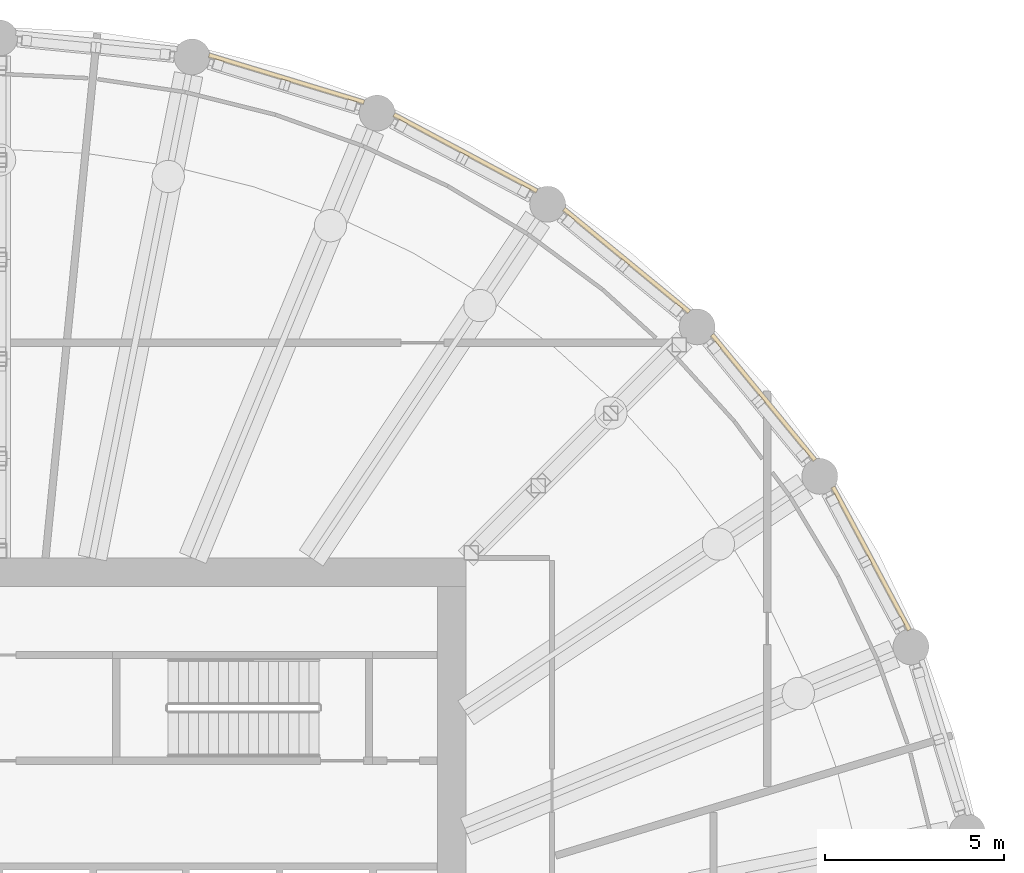
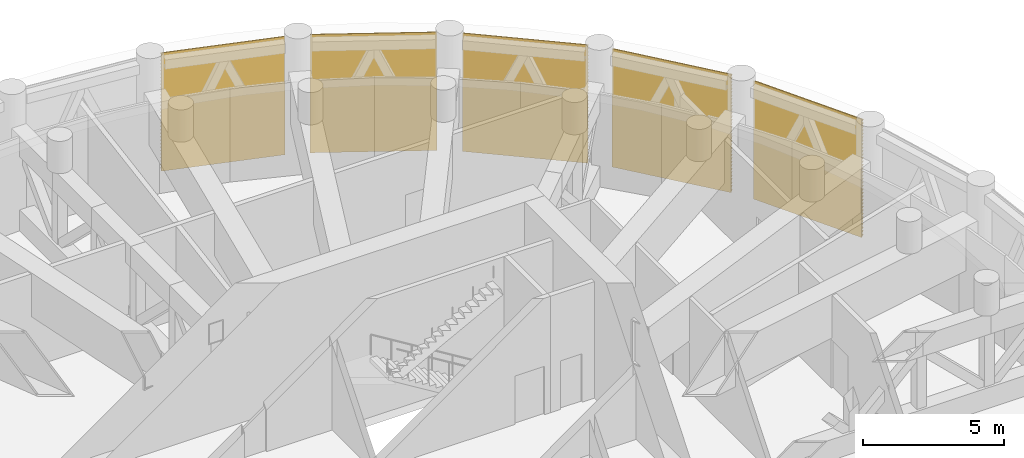
# One storey, part 24 of 24: 5 shading devices, 5 elements without a shape of their own.
"""IFC4 building model written with IfcOpenShell, lengths in metres."""

from ifc_helpers import new_model, si_unit, direction, frame, origin, place, context, subcontext, project, spatial, polyline, outline, extrude, material, material_profile, profile_set, type_object, element, aggregate, save


model = new_model("IFC4")

# Units and contexts
model_context = context("Model", 3, precision=1e-05, world=origin(), true_north=direction((0.0, 1.0)))
body_context = subcontext(model_context, "Body", "Model", "MODEL_VIEW")
ifc_project = project(units=[si_unit("LENGTHUNIT", "METRE"), si_unit("AREAUNIT", "SQUARE_METRE"), si_unit("VOLUMEUNIT", "CUBIC_METRE"), si_unit("PLANEANGLEUNIT", "RADIAN"), si_unit("MASSUNIT", "GRAM", prefix="KILO")], contexts=[model_context])

# Site, building, storey
site_placement = place(None, origin())
site = spatial("IfcSite", under=ifc_project, at=site_placement, CompositionType="ELEMENT")
building_placement = place(site_placement, origin())
building = spatial("IfcBuilding", under=site, at=building_placement, Name="Corvane Civic Tower", CompositionType="ELEMENT")
storey_placement = place(building_placement, frame((0.0, 0.0, 257.5)))
storey = spatial("IfcBuildingStorey", under=building, at=storey_placement, Name="L61", CompositionType="ELEMENT", Elevation=257.5)

# Curtain wall, shading device
ifc_material_1 = material(Name="Anodised aluminium bronze", Category="aluminium")
curtain_wall_type = type_object("IfcCurtainWallType", Name="TOWER CW-LV LOUVRE SCREEN WALL", PredefinedType="NOTDEFINED", material=ifc_material_1)
curtain_wall_1_placement = place(storey_placement, origin())
curtain_wall_1 = element("IfcCurtainWall", 1, at=curtain_wall_1_placement, inside=storey, type_object=curtain_wall_type, Name="Louvre screen wall CW-LV L61 bay 02", PredefinedType="NOTDEFINED")
ifc_material_2 = material(Name="Anodised aluminium bronze", Category="aluminium")
ifc_material_profile = material_profile(ifc_material_2, outline(polyline([(-0.06005859375, -2.56494140625), (-0.0400390625, -2.56494140625), (0.06005859375, -2.492919921875), (0.06005859375, -2.472900390625), (-0.0400390625, -2.544921875), (-0.0400390625, -2.4140625), (0.06005859375, -2.342041015625), (0.06005859375, -2.322021484375), (-0.0400390625, -2.39404296875), (-0.0400390625, -2.26318359375), (0.06005859375, -2.191162109375), (0.06005859375, -2.171142578125), (-0.0400390625, -2.2431640625), (-0.0400390625, -2.1123046875), (0.06005859375, -2.040283203125), (0.06005859375, -2.0205078125), (-0.0400390625, -2.09228515625), (-0.0400390625, -1.96142578125), (0.06005859375, -1.889404296875), (0.06005859375, -1.869384765625), (-0.0400390625, -1.94140625), (-0.0400390625, -1.810546875), (0.06005859375, -1.738525390625), (0.06005859375, -1.718505859375), (-0.0400390625, -1.79052734375), (-0.0400390625, -1.65966796875), (0.06005859375, -1.587646484375), (0.06005859375, -1.567626953125), (-0.0400390625, -1.6396484375), (-0.0400390625, -1.5087890625), (0.06005859375, -1.436767578125), (0.06005859375, -1.416748046875), (-0.0400390625, -1.48876953125), (-0.0400390625, -1.35791015625), (0.06005859375, -1.285888671875), (0.06005859375, -1.265869140625), (-0.0400390625, -1.337890625), (-0.0400390625, -1.20703125), (0.06005859375, -1.135009765625), (0.06005859375, -1.114990234375), (-0.0400390625, -1.18701171875), (-0.0400390625, -1.05615234375), (0.06005859375, -0.984130859375), (0.06005859375, -0.964111328125), (-0.0400390625, -1.0361328125), (-0.0400390625, -0.9052734375), (0.06005859375, -0.833251953125), (0.06005859375, -0.813232421875), (-0.0400390625, -0.88525390625), (-0.0400390625, -0.75439453125), (0.06005859375, -0.682373046875), (0.06005859375, -0.662353515625), (-0.0400390625, -0.734375), (-0.0400390625, -0.603515625), (0.06005859375, -0.531494140625), (0.06005859375, -0.511474609375), (-0.0400390625, -0.58349609375), (-0.0400390625, -0.45263671875), (0.06005859375, -0.380615234375), (0.06005859375, -0.360595703125), (-0.0400390625, -0.4326171875), (-0.0400390625, -0.3017578125), (0.06005859375, -0.229736328125), (0.06005859375, -0.209716796875), (-0.0400390625, -0.28173828125), (-0.0400390625, -0.15087890625), (0.06005859375, -0.078857421875), (0.06005859375, -0.058837890625), (-0.0400390625, -0.130859375), (-0.0400390625, 0.0), (0.06005859375, 0.072021484375), (0.06005859375, 0.092041015625), (-0.0400390625, 0.02001953125), (-0.0400390625, 0.15087890625), (0.06005859375, 0.222900390625), (0.06005859375, 0.242919921875), (-0.0400390625, 0.1708984375), (-0.0400390625, 0.3017578125), (0.06005859375, 0.373779296875), (0.06005859375, 0.393798828125), (-0.0400390625, 0.32177734375), (-0.0400390625, 0.45263671875), (0.06005859375, 0.524658203125), (0.06005859375, 0.544677734375), (-0.0400390625, 0.47265625), (-0.0400390625, 0.603515625), (0.06005859375, 0.675537109375), (0.06005859375, 0.695556640625), (-0.0400390625, 0.62353515625), (-0.0400390625, 0.75439453125), (0.06005859375, 0.826416015625), (0.06005859375, 0.846435546875), (-0.0400390625, 0.7744140625), (-0.0400390625, 0.9052734375), (0.06005859375, 0.977294921875), (0.06005859375, 0.997314453125), (-0.0400390625, 0.92529296875), (-0.0400390625, 1.05615234375), (0.06005859375, 1.128173828125), (0.06005859375, 1.148193359375), (-0.0400390625, 1.076171875), (-0.0400390625, 1.20703125), (0.06005859375, 1.279052734375), (0.06005859375, 1.299072265625), (-0.0400390625, 1.22705078125), (-0.0400390625, 1.35791015625), (0.06005859375, 1.429931640625), (0.06005859375, 1.449951171875), (-0.0400390625, 1.3779296875), (-0.0400390625, 1.5087890625), (0.06005859375, 1.580810546875), (0.06005859375, 1.600830078125), (-0.0400390625, 1.52880859375), (-0.0400390625, 1.65966796875), (0.06005859375, 1.731689453125), (0.06005859375, 1.751708984375), (-0.0400390625, 1.6796875), (-0.0400390625, 1.810546875), (0.06005859375, 1.882568359375), (0.06005859375, 1.902587890625), (-0.0400390625, 1.83056640625), (-0.0400390625, 1.96142578125), (0.06005859375, 2.033447265625), (0.06005859375, 2.053466796875), (-0.0400390625, 1.9814453125), (-0.0400390625, 2.1123046875), (0.06005859375, 2.184326171875), (0.06005859375, 2.204345703125), (-0.0400390625, 2.13232421875), (-0.0400390625, 2.26318359375), (0.06005859375, 2.335205078125), (0.06005859375, 2.355224609375), (-0.0400390625, 2.283203125), (-0.0400390625, 2.4140625), (0.06005859375, 2.486083984375), (0.06005859375, 2.506103515625), (-0.0400390625, 2.43408203125), (-0.0400390625, 2.56494140625), (-0.06005859375, 2.56494140625), (-0.06005859375, -2.56494140625)])), Name="TOWER LOUVRE BANK 5130 BRONZE")
ifc_profile_set = profile_set([ifc_material_profile], Name="Anodised aluminium bronze")
shading_device_type = type_object("IfcShadingDeviceType", Name="TOWER LOUVRE BANK 5130 BRONZE", PredefinedType="USERDEFINED", material=ifc_profile_set)
shading_device_1_placement = place(storey_placement, frame((5.8349609375, 27.016357421875, 2.68505859375), z_axis=(0.956941182173, -0.2902818869, 0.0), x_axis=(0.2902818869, 0.956941182173, 0.0)))
shading_device_1 = element("IfcShadingDevice", 2, at=shading_device_1_placement, type_object=shading_device_type, Name="Louvre bank L61 02.1", ObjectType="LOUVRE", PredefinedType="USERDEFINED", context=body_context, shape_type="SweptSolid", body=[
    extrude(outline(polyline([(-0.06005859375, -2.56494140625), (-0.0400390625, -2.56494140625), (0.06005859375, -2.492919921875), (0.06005859375, -2.472900390625), (-0.0400390625, -2.544921875), (-0.0400390625, -2.4140625), (0.06005859375, -2.342041015625), (0.06005859375, -2.322021484375), (-0.0400390625, -2.39404296875), (-0.0400390625, -2.26318359375), (0.06005859375, -2.191162109375), (0.06005859375, -2.171142578125), (-0.0400390625, -2.2431640625), (-0.0400390625, -2.1123046875), (0.06005859375, -2.040283203125), (0.06005859375, -2.0205078125), (-0.0400390625, -2.09228515625), (-0.0400390625, -1.96142578125), (0.06005859375, -1.889404296875), (0.06005859375, -1.869384765625), (-0.0400390625, -1.94140625), (-0.0400390625, -1.810546875), (0.06005859375, -1.738525390625), (0.06005859375, -1.718505859375), (-0.0400390625, -1.79052734375), (-0.0400390625, -1.65966796875), (0.06005859375, -1.587646484375), (0.06005859375, -1.567626953125), (-0.0400390625, -1.6396484375), (-0.0400390625, -1.5087890625), (0.06005859375, -1.436767578125), (0.06005859375, -1.416748046875), (-0.0400390625, -1.48876953125), (-0.0400390625, -1.35791015625), (0.06005859375, -1.285888671875), (0.06005859375, -1.265869140625), (-0.0400390625, -1.337890625), (-0.0400390625, -1.20703125), (0.06005859375, -1.135009765625), (0.06005859375, -1.114990234375), (-0.0400390625, -1.18701171875), (-0.0400390625, -1.05615234375), (0.06005859375, -0.984130859375), (0.06005859375, -0.964111328125), (-0.0400390625, -1.0361328125), (-0.0400390625, -0.9052734375), (0.06005859375, -0.833251953125), (0.06005859375, -0.813232421875), (-0.0400390625, -0.88525390625), (-0.0400390625, -0.75439453125), (0.06005859375, -0.682373046875), (0.06005859375, -0.662353515625), (-0.0400390625, -0.734375), (-0.0400390625, -0.603515625), (0.06005859375, -0.531494140625), (0.06005859375, -0.511474609375), (-0.0400390625, -0.58349609375), (-0.0400390625, -0.45263671875), (0.06005859375, -0.380615234375), (0.06005859375, -0.360595703125), (-0.0400390625, -0.4326171875), (-0.0400390625, -0.3017578125), (0.06005859375, -0.229736328125), (0.06005859375, -0.209716796875), (-0.0400390625, -0.28173828125), (-0.0400390625, -0.15087890625), (0.06005859375, -0.078857421875), (0.06005859375, -0.058837890625), (-0.0400390625, -0.130859375), (-0.0400390625, 0.0), (0.06005859375, 0.072021484375), (0.06005859375, 0.092041015625), (-0.0400390625, 0.02001953125), (-0.0400390625, 0.15087890625), (0.06005859375, 0.222900390625), (0.06005859375, 0.242919921875), (-0.0400390625, 0.1708984375), (-0.0400390625, 0.3017578125), (0.06005859375, 0.373779296875), (0.06005859375, 0.393798828125), (-0.0400390625, 0.32177734375), (-0.0400390625, 0.45263671875), (0.06005859375, 0.524658203125), (0.06005859375, 0.544677734375), (-0.0400390625, 0.47265625), (-0.0400390625, 0.603515625), (0.06005859375, 0.675537109375), (0.06005859375, 0.695556640625), (-0.0400390625, 0.62353515625), (-0.0400390625, 0.75439453125), (0.06005859375, 0.826416015625), (0.06005859375, 0.846435546875), (-0.0400390625, 0.7744140625), (-0.0400390625, 0.9052734375), (0.06005859375, 0.977294921875), (0.06005859375, 0.997314453125), (-0.0400390625, 0.92529296875), (-0.0400390625, 1.05615234375), (0.06005859375, 1.128173828125), (0.06005859375, 1.148193359375), (-0.0400390625, 1.076171875), (-0.0400390625, 1.20703125), (0.06005859375, 1.279052734375), (0.06005859375, 1.299072265625), (-0.0400390625, 1.22705078125), (-0.0400390625, 1.35791015625), (0.06005859375, 1.429931640625), (0.06005859375, 1.449951171875), (-0.0400390625, 1.3779296875), (-0.0400390625, 1.5087890625), (0.06005859375, 1.580810546875), (0.06005859375, 1.600830078125), (-0.0400390625, 1.52880859375), (-0.0400390625, 1.65966796875), (0.06005859375, 1.731689453125), (0.06005859375, 1.751708984375), (-0.0400390625, 1.6796875), (-0.0400390625, 1.810546875), (0.06005859375, 1.882568359375), (0.06005859375, 1.902587890625), (-0.0400390625, 1.83056640625), (-0.0400390625, 1.96142578125), (0.06005859375, 2.033447265625), (0.06005859375, 2.053466796875), (-0.0400390625, 1.9814453125), (-0.0400390625, 2.1123046875), (0.06005859375, 2.184326171875), (0.06005859375, 2.204345703125), (-0.0400390625, 2.13232421875), (-0.0400390625, 2.26318359375), (0.06005859375, 2.335205078125), (0.06005859375, 2.355224609375), (-0.0400390625, 2.283203125), (-0.0400390625, 2.4140625), (0.06005859375, 2.486083984375), (0.06005859375, 2.506103515625), (-0.0400390625, 2.43408203125), (-0.0400390625, 2.56494140625), (-0.06005859375, 2.56494140625), (-0.06005859375, -2.56494140625)])), origin(), (0.0, 0.0, 1.0), 4.517333984375),
])
aggregate(curtain_wall_1, [shading_device_1])

curtain_wall_2_placement = place(storey_placement, origin())
curtain_wall_2 = element("IfcCurtainWall", 3, at=curtain_wall_2_placement, inside=storey, type_object=curtain_wall_type, Name="Louvre screen wall CW-LV L61 bay 03", PredefinedType="NOTDEFINED")
shading_device_2_placement = place(storey_placement, frame((10.993408203125, 25.35888671875, 2.68505859375), z_axis=(0.881924695689, -0.471390317183, 0.0), x_axis=(0.471390317183, 0.881924695689, 0.0)))
shading_device_2 = element("IfcShadingDevice", 4, at=shading_device_2_placement, type_object=shading_device_type, Name="Louvre bank L61 03.1", ObjectType="LOUVRE", PredefinedType="USERDEFINED", context=body_context, shape_type="SweptSolid", body=[
    extrude(outline(polyline([(-0.06005859375, -2.56494140625), (-0.0400390625, -2.56494140625), (0.06005859375, -2.492919921875), (0.06005859375, -2.472900390625), (-0.0400390625, -2.544921875), (-0.0400390625, -2.4140625), (0.06005859375, -2.342041015625), (0.06005859375, -2.322021484375), (-0.0400390625, -2.39404296875), (-0.0400390625, -2.26318359375), (0.06005859375, -2.191162109375), (0.06005859375, -2.171142578125), (-0.0400390625, -2.2431640625), (-0.0400390625, -2.1123046875), (0.06005859375, -2.040283203125), (0.06005859375, -2.0205078125), (-0.0400390625, -2.09228515625), (-0.0400390625, -1.96142578125), (0.06005859375, -1.889404296875), (0.06005859375, -1.869384765625), (-0.0400390625, -1.94140625), (-0.0400390625, -1.810546875), (0.06005859375, -1.738525390625), (0.06005859375, -1.718505859375), (-0.0400390625, -1.79052734375), (-0.0400390625, -1.65966796875), (0.06005859375, -1.587646484375), (0.06005859375, -1.567626953125), (-0.0400390625, -1.6396484375), (-0.0400390625, -1.5087890625), (0.06005859375, -1.436767578125), (0.06005859375, -1.416748046875), (-0.0400390625, -1.48876953125), (-0.0400390625, -1.35791015625), (0.06005859375, -1.285888671875), (0.06005859375, -1.265869140625), (-0.0400390625, -1.337890625), (-0.0400390625, -1.20703125), (0.06005859375, -1.135009765625), (0.06005859375, -1.114990234375), (-0.0400390625, -1.18701171875), (-0.0400390625, -1.05615234375), (0.06005859375, -0.984130859375), (0.06005859375, -0.964111328125), (-0.0400390625, -1.0361328125), (-0.0400390625, -0.9052734375), (0.06005859375, -0.833251953125), (0.06005859375, -0.813232421875), (-0.0400390625, -0.88525390625), (-0.0400390625, -0.75439453125), (0.06005859375, -0.682373046875), (0.06005859375, -0.662353515625), (-0.0400390625, -0.734375), (-0.0400390625, -0.603515625), (0.06005859375, -0.531494140625), (0.06005859375, -0.511474609375), (-0.0400390625, -0.58349609375), (-0.0400390625, -0.45263671875), (0.06005859375, -0.380615234375), (0.06005859375, -0.360595703125), (-0.0400390625, -0.4326171875), (-0.0400390625, -0.3017578125), (0.06005859375, -0.229736328125), (0.06005859375, -0.209716796875), (-0.0400390625, -0.28173828125), (-0.0400390625, -0.15087890625), (0.06005859375, -0.078857421875), (0.06005859375, -0.058837890625), (-0.0400390625, -0.130859375), (-0.0400390625, 0.0), (0.06005859375, 0.072021484375), (0.06005859375, 0.092041015625), (-0.0400390625, 0.02001953125), (-0.0400390625, 0.15087890625), (0.06005859375, 0.222900390625), (0.06005859375, 0.242919921875), (-0.0400390625, 0.1708984375), (-0.0400390625, 0.3017578125), (0.06005859375, 0.373779296875), (0.06005859375, 0.393798828125), (-0.0400390625, 0.32177734375), (-0.0400390625, 0.45263671875), (0.06005859375, 0.524658203125), (0.06005859375, 0.544677734375), (-0.0400390625, 0.47265625), (-0.0400390625, 0.603515625), (0.06005859375, 0.675537109375), (0.06005859375, 0.695556640625), (-0.0400390625, 0.62353515625), (-0.0400390625, 0.75439453125), (0.06005859375, 0.826416015625), (0.06005859375, 0.846435546875), (-0.0400390625, 0.7744140625), (-0.0400390625, 0.9052734375), (0.06005859375, 0.977294921875), (0.06005859375, 0.997314453125), (-0.0400390625, 0.92529296875), (-0.0400390625, 1.05615234375), (0.06005859375, 1.128173828125), (0.06005859375, 1.148193359375), (-0.0400390625, 1.076171875), (-0.0400390625, 1.20703125), (0.06005859375, 1.279052734375), (0.06005859375, 1.299072265625), (-0.0400390625, 1.22705078125), (-0.0400390625, 1.35791015625), (0.06005859375, 1.429931640625), (0.06005859375, 1.449951171875), (-0.0400390625, 1.3779296875), (-0.0400390625, 1.5087890625), (0.06005859375, 1.580810546875), (0.06005859375, 1.600830078125), (-0.0400390625, 1.52880859375), (-0.0400390625, 1.65966796875), (0.06005859375, 1.731689453125), (0.06005859375, 1.751708984375), (-0.0400390625, 1.6796875), (-0.0400390625, 1.810546875), (0.06005859375, 1.882568359375), (0.06005859375, 1.902587890625), (-0.0400390625, 1.83056640625), (-0.0400390625, 1.96142578125), (0.06005859375, 2.033447265625), (0.06005859375, 2.053466796875), (-0.0400390625, 1.9814453125), (-0.0400390625, 2.1123046875), (0.06005859375, 2.184326171875), (0.06005859375, 2.204345703125), (-0.0400390625, 2.13232421875), (-0.0400390625, 2.26318359375), (0.06005859375, 2.335205078125), (0.06005859375, 2.355224609375), (-0.0400390625, 2.283203125), (-0.0400390625, 2.4140625), (0.06005859375, 2.486083984375), (0.06005859375, 2.506103515625), (-0.0400390625, 2.43408203125), (-0.0400390625, 2.56494140625), (-0.06005859375, 2.56494140625), (-0.06005859375, -2.56494140625)])), origin(), (0.0, 0.0, 1.0), 4.517333984375),
])
aggregate(curtain_wall_2, [shading_device_2])

curtain_wall_3_placement = place(storey_placement, origin())
curtain_wall_3 = element("IfcCurtainWall", 5, at=curtain_wall_3_placement, inside=storey, type_object=curtain_wall_type, Name="Louvre screen wall CW-LV L61 bay 04", PredefinedType="NOTDEFINED")
shading_device_3_placement = place(storey_placement, frame((15.7294921875, 22.726806640625, 2.68505859375), z_axis=(0.773014925698, -0.634387834569, 0.0), x_axis=(0.634387834569, 0.773014925698, 0.0)))
shading_device_3 = element("IfcShadingDevice", 6, at=shading_device_3_placement, type_object=shading_device_type, Name="Louvre bank L61 04.1", ObjectType="LOUVRE", PredefinedType="USERDEFINED", context=body_context, shape_type="SweptSolid", body=[
    extrude(outline(polyline([(-0.06005859375, -2.56494140625), (-0.0400390625, -2.56494140625), (0.06005859375, -2.492919921875), (0.06005859375, -2.472900390625), (-0.0400390625, -2.544921875), (-0.0400390625, -2.4140625), (0.06005859375, -2.342041015625), (0.06005859375, -2.322021484375), (-0.0400390625, -2.39404296875), (-0.0400390625, -2.26318359375), (0.06005859375, -2.191162109375), (0.06005859375, -2.171142578125), (-0.0400390625, -2.2431640625), (-0.0400390625, -2.1123046875), (0.06005859375, -2.040283203125), (0.06005859375, -2.0205078125), (-0.0400390625, -2.09228515625), (-0.0400390625, -1.96142578125), (0.06005859375, -1.889404296875), (0.06005859375, -1.869384765625), (-0.0400390625, -1.94140625), (-0.0400390625, -1.810546875), (0.06005859375, -1.738525390625), (0.06005859375, -1.718505859375), (-0.0400390625, -1.79052734375), (-0.0400390625, -1.65966796875), (0.06005859375, -1.587646484375), (0.06005859375, -1.567626953125), (-0.0400390625, -1.6396484375), (-0.0400390625, -1.5087890625), (0.06005859375, -1.436767578125), (0.06005859375, -1.416748046875), (-0.0400390625, -1.48876953125), (-0.0400390625, -1.35791015625), (0.06005859375, -1.285888671875), (0.06005859375, -1.265869140625), (-0.0400390625, -1.337890625), (-0.0400390625, -1.20703125), (0.06005859375, -1.135009765625), (0.06005859375, -1.114990234375), (-0.0400390625, -1.18701171875), (-0.0400390625, -1.05615234375), (0.06005859375, -0.984130859375), (0.06005859375, -0.964111328125), (-0.0400390625, -1.0361328125), (-0.0400390625, -0.9052734375), (0.06005859375, -0.833251953125), (0.06005859375, -0.813232421875), (-0.0400390625, -0.88525390625), (-0.0400390625, -0.75439453125), (0.06005859375, -0.682373046875), (0.06005859375, -0.662353515625), (-0.0400390625, -0.734375), (-0.0400390625, -0.603515625), (0.06005859375, -0.531494140625), (0.06005859375, -0.511474609375), (-0.0400390625, -0.58349609375), (-0.0400390625, -0.45263671875), (0.06005859375, -0.380615234375), (0.06005859375, -0.360595703125), (-0.0400390625, -0.4326171875), (-0.0400390625, -0.3017578125), (0.06005859375, -0.229736328125), (0.06005859375, -0.209716796875), (-0.0400390625, -0.28173828125), (-0.0400390625, -0.15087890625), (0.06005859375, -0.078857421875), (0.06005859375, -0.058837890625), (-0.0400390625, -0.130859375), (-0.0400390625, 0.0), (0.06005859375, 0.072021484375), (0.06005859375, 0.092041015625), (-0.0400390625, 0.02001953125), (-0.0400390625, 0.15087890625), (0.06005859375, 0.222900390625), (0.06005859375, 0.242919921875), (-0.0400390625, 0.1708984375), (-0.0400390625, 0.3017578125), (0.06005859375, 0.373779296875), (0.06005859375, 0.393798828125), (-0.0400390625, 0.32177734375), (-0.0400390625, 0.45263671875), (0.06005859375, 0.524658203125), (0.06005859375, 0.544677734375), (-0.0400390625, 0.47265625), (-0.0400390625, 0.603515625), (0.06005859375, 0.675537109375), (0.06005859375, 0.695556640625), (-0.0400390625, 0.62353515625), (-0.0400390625, 0.75439453125), (0.06005859375, 0.826416015625), (0.06005859375, 0.846435546875), (-0.0400390625, 0.7744140625), (-0.0400390625, 0.9052734375), (0.06005859375, 0.977294921875), (0.06005859375, 0.997314453125), (-0.0400390625, 0.92529296875), (-0.0400390625, 1.05615234375), (0.06005859375, 1.128173828125), (0.06005859375, 1.148193359375), (-0.0400390625, 1.076171875), (-0.0400390625, 1.20703125), (0.06005859375, 1.279052734375), (0.06005859375, 1.299072265625), (-0.0400390625, 1.22705078125), (-0.0400390625, 1.35791015625), (0.06005859375, 1.429931640625), (0.06005859375, 1.449951171875), (-0.0400390625, 1.3779296875), (-0.0400390625, 1.5087890625), (0.06005859375, 1.580810546875), (0.06005859375, 1.600830078125), (-0.0400390625, 1.52880859375), (-0.0400390625, 1.65966796875), (0.06005859375, 1.731689453125), (0.06005859375, 1.751708984375), (-0.0400390625, 1.6796875), (-0.0400390625, 1.810546875), (0.06005859375, 1.882568359375), (0.06005859375, 1.902587890625), (-0.0400390625, 1.83056640625), (-0.0400390625, 1.96142578125), (0.06005859375, 2.033447265625), (0.06005859375, 2.053466796875), (-0.0400390625, 1.9814453125), (-0.0400390625, 2.1123046875), (0.06005859375, 2.184326171875), (0.06005859375, 2.204345703125), (-0.0400390625, 2.13232421875), (-0.0400390625, 2.26318359375), (0.06005859375, 2.335205078125), (0.06005859375, 2.355224609375), (-0.0400390625, 2.283203125), (-0.0400390625, 2.4140625), (0.06005859375, 2.486083984375), (0.06005859375, 2.506103515625), (-0.0400390625, 2.43408203125), (-0.0400390625, 2.56494140625), (-0.06005859375, 2.56494140625), (-0.06005859375, -2.56494140625)])), origin(), (0.0, 0.0, 1.0), 4.517333984375),
])
aggregate(curtain_wall_3, [shading_device_3])

curtain_wall_4_placement = place(storey_placement, origin())
curtain_wall_4 = element("IfcCurtainWall", 7, at=curtain_wall_4_placement, inside=storey, type_object=curtain_wall_type, Name="Louvre screen wall CW-LV L61 bay 05", PredefinedType="NOTDEFINED")
shading_device_4_placement = place(storey_placement, frame((19.861083984375, 19.221435546875, 2.68505859375), z_axis=(0.634387834569, -0.773014925698, 0.0), x_axis=(0.773014925698, 0.634387834569, 0.0)))
shading_device_4 = element("IfcShadingDevice", 8, at=shading_device_4_placement, type_object=shading_device_type, Name="Louvre bank L61 05.1", ObjectType="LOUVRE", PredefinedType="USERDEFINED", context=body_context, shape_type="SweptSolid", body=[
    extrude(outline(polyline([(-0.06005859375, -2.56494140625), (-0.0400390625, -2.56494140625), (0.06005859375, -2.492919921875), (0.06005859375, -2.472900390625), (-0.0400390625, -2.544921875), (-0.0400390625, -2.4140625), (0.06005859375, -2.342041015625), (0.06005859375, -2.322021484375), (-0.0400390625, -2.39404296875), (-0.0400390625, -2.26318359375), (0.06005859375, -2.191162109375), (0.06005859375, -2.171142578125), (-0.0400390625, -2.2431640625), (-0.0400390625, -2.1123046875), (0.06005859375, -2.040283203125), (0.06005859375, -2.0205078125), (-0.0400390625, -2.09228515625), (-0.0400390625, -1.96142578125), (0.06005859375, -1.889404296875), (0.06005859375, -1.869384765625), (-0.0400390625, -1.94140625), (-0.0400390625, -1.810546875), (0.06005859375, -1.738525390625), (0.06005859375, -1.718505859375), (-0.0400390625, -1.79052734375), (-0.0400390625, -1.65966796875), (0.06005859375, -1.587646484375), (0.06005859375, -1.567626953125), (-0.0400390625, -1.6396484375), (-0.0400390625, -1.5087890625), (0.06005859375, -1.436767578125), (0.06005859375, -1.416748046875), (-0.0400390625, -1.48876953125), (-0.0400390625, -1.35791015625), (0.06005859375, -1.285888671875), (0.06005859375, -1.265869140625), (-0.0400390625, -1.337890625), (-0.0400390625, -1.20703125), (0.06005859375, -1.135009765625), (0.06005859375, -1.114990234375), (-0.0400390625, -1.18701171875), (-0.0400390625, -1.05615234375), (0.06005859375, -0.984130859375), (0.06005859375, -0.964111328125), (-0.0400390625, -1.0361328125), (-0.0400390625, -0.9052734375), (0.06005859375, -0.833251953125), (0.06005859375, -0.813232421875), (-0.0400390625, -0.88525390625), (-0.0400390625, -0.75439453125), (0.06005859375, -0.682373046875), (0.06005859375, -0.662353515625), (-0.0400390625, -0.734375), (-0.0400390625, -0.603515625), (0.06005859375, -0.531494140625), (0.06005859375, -0.511474609375), (-0.0400390625, -0.58349609375), (-0.0400390625, -0.45263671875), (0.06005859375, -0.380615234375), (0.06005859375, -0.360595703125), (-0.0400390625, -0.4326171875), (-0.0400390625, -0.3017578125), (0.06005859375, -0.229736328125), (0.06005859375, -0.209716796875), (-0.0400390625, -0.28173828125), (-0.0400390625, -0.15087890625), (0.06005859375, -0.078857421875), (0.06005859375, -0.058837890625), (-0.0400390625, -0.130859375), (-0.0400390625, 0.0), (0.06005859375, 0.072021484375), (0.06005859375, 0.092041015625), (-0.0400390625, 0.02001953125), (-0.0400390625, 0.15087890625), (0.06005859375, 0.222900390625), (0.06005859375, 0.242919921875), (-0.0400390625, 0.1708984375), (-0.0400390625, 0.3017578125), (0.06005859375, 0.373779296875), (0.06005859375, 0.393798828125), (-0.0400390625, 0.32177734375), (-0.0400390625, 0.45263671875), (0.06005859375, 0.524658203125), (0.06005859375, 0.544677734375), (-0.0400390625, 0.47265625), (-0.0400390625, 0.603515625), (0.06005859375, 0.675537109375), (0.06005859375, 0.695556640625), (-0.0400390625, 0.62353515625), (-0.0400390625, 0.75439453125), (0.06005859375, 0.826416015625), (0.06005859375, 0.846435546875), (-0.0400390625, 0.7744140625), (-0.0400390625, 0.9052734375), (0.06005859375, 0.977294921875), (0.06005859375, 0.997314453125), (-0.0400390625, 0.92529296875), (-0.0400390625, 1.05615234375), (0.06005859375, 1.128173828125), (0.06005859375, 1.148193359375), (-0.0400390625, 1.076171875), (-0.0400390625, 1.20703125), (0.06005859375, 1.279052734375), (0.06005859375, 1.299072265625), (-0.0400390625, 1.22705078125), (-0.0400390625, 1.35791015625), (0.06005859375, 1.429931640625), (0.06005859375, 1.449951171875), (-0.0400390625, 1.3779296875), (-0.0400390625, 1.5087890625), (0.06005859375, 1.580810546875), (0.06005859375, 1.600830078125), (-0.0400390625, 1.52880859375), (-0.0400390625, 1.65966796875), (0.06005859375, 1.731689453125), (0.06005859375, 1.751708984375), (-0.0400390625, 1.6796875), (-0.0400390625, 1.810546875), (0.06005859375, 1.882568359375), (0.06005859375, 1.902587890625), (-0.0400390625, 1.83056640625), (-0.0400390625, 1.96142578125), (0.06005859375, 2.033447265625), (0.06005859375, 2.053466796875), (-0.0400390625, 1.9814453125), (-0.0400390625, 2.1123046875), (0.06005859375, 2.184326171875), (0.06005859375, 2.204345703125), (-0.0400390625, 2.13232421875), (-0.0400390625, 2.26318359375), (0.06005859375, 2.335205078125), (0.06005859375, 2.355224609375), (-0.0400390625, 2.283203125), (-0.0400390625, 2.4140625), (0.06005859375, 2.486083984375), (0.06005859375, 2.506103515625), (-0.0400390625, 2.43408203125), (-0.0400390625, 2.56494140625), (-0.06005859375, 2.56494140625), (-0.06005859375, -2.56494140625)])), origin(), (0.0, 0.0, 1.0), 4.517333984375),
])
aggregate(curtain_wall_4, [shading_device_4])

curtain_wall_5_placement = place(storey_placement, origin())
curtain_wall_5 = element("IfcCurtainWall", 9, at=curtain_wall_5_placement, inside=storey, type_object=curtain_wall_type, Name="Louvre screen wall CW-LV L61 bay 06", PredefinedType="NOTDEFINED")
shading_device_5_placement = place(storey_placement, frame((23.2294921875, 14.977294921875, 2.68505859375), z_axis=(0.471390317183, -0.881924695689, 0.0), x_axis=(0.881924695689, 0.471390317183, 0.0)))
shading_device_5 = element("IfcShadingDevice", 10, at=shading_device_5_placement, type_object=shading_device_type, Name="Louvre bank L61 06.1", ObjectType="LOUVRE", PredefinedType="USERDEFINED", context=body_context, shape_type="SweptSolid", body=[
    extrude(outline(polyline([(-0.06005859375, -2.56494140625), (-0.0400390625, -2.56494140625), (0.06005859375, -2.492919921875), (0.06005859375, -2.472900390625), (-0.0400390625, -2.544921875), (-0.0400390625, -2.4140625), (0.06005859375, -2.342041015625), (0.06005859375, -2.322021484375), (-0.0400390625, -2.39404296875), (-0.0400390625, -2.26318359375), (0.06005859375, -2.191162109375), (0.06005859375, -2.171142578125), (-0.0400390625, -2.2431640625), (-0.0400390625, -2.1123046875), (0.06005859375, -2.040283203125), (0.06005859375, -2.0205078125), (-0.0400390625, -2.09228515625), (-0.0400390625, -1.96142578125), (0.06005859375, -1.889404296875), (0.06005859375, -1.869384765625), (-0.0400390625, -1.94140625), (-0.0400390625, -1.810546875), (0.06005859375, -1.738525390625), (0.06005859375, -1.718505859375), (-0.0400390625, -1.79052734375), (-0.0400390625, -1.65966796875), (0.06005859375, -1.587646484375), (0.06005859375, -1.567626953125), (-0.0400390625, -1.6396484375), (-0.0400390625, -1.5087890625), (0.06005859375, -1.436767578125), (0.06005859375, -1.416748046875), (-0.0400390625, -1.48876953125), (-0.0400390625, -1.35791015625), (0.06005859375, -1.285888671875), (0.06005859375, -1.265869140625), (-0.0400390625, -1.337890625), (-0.0400390625, -1.20703125), (0.06005859375, -1.135009765625), (0.06005859375, -1.114990234375), (-0.0400390625, -1.18701171875), (-0.0400390625, -1.05615234375), (0.06005859375, -0.984130859375), (0.06005859375, -0.964111328125), (-0.0400390625, -1.0361328125), (-0.0400390625, -0.9052734375), (0.06005859375, -0.833251953125), (0.06005859375, -0.813232421875), (-0.0400390625, -0.88525390625), (-0.0400390625, -0.75439453125), (0.06005859375, -0.682373046875), (0.06005859375, -0.662353515625), (-0.0400390625, -0.734375), (-0.0400390625, -0.603515625), (0.06005859375, -0.531494140625), (0.06005859375, -0.511474609375), (-0.0400390625, -0.58349609375), (-0.0400390625, -0.45263671875), (0.06005859375, -0.380615234375), (0.06005859375, -0.360595703125), (-0.0400390625, -0.4326171875), (-0.0400390625, -0.3017578125), (0.06005859375, -0.229736328125), (0.06005859375, -0.209716796875), (-0.0400390625, -0.28173828125), (-0.0400390625, -0.15087890625), (0.06005859375, -0.078857421875), (0.06005859375, -0.058837890625), (-0.0400390625, -0.130859375), (-0.0400390625, 0.0), (0.06005859375, 0.072021484375), (0.06005859375, 0.092041015625), (-0.0400390625, 0.02001953125), (-0.0400390625, 0.15087890625), (0.06005859375, 0.222900390625), (0.06005859375, 0.242919921875), (-0.0400390625, 0.1708984375), (-0.0400390625, 0.3017578125), (0.06005859375, 0.373779296875), (0.06005859375, 0.393798828125), (-0.0400390625, 0.32177734375), (-0.0400390625, 0.45263671875), (0.06005859375, 0.524658203125), (0.06005859375, 0.544677734375), (-0.0400390625, 0.47265625), (-0.0400390625, 0.603515625), (0.06005859375, 0.675537109375), (0.06005859375, 0.695556640625), (-0.0400390625, 0.62353515625), (-0.0400390625, 0.75439453125), (0.06005859375, 0.826416015625), (0.06005859375, 0.846435546875), (-0.0400390625, 0.7744140625), (-0.0400390625, 0.9052734375), (0.06005859375, 0.977294921875), (0.06005859375, 0.997314453125), (-0.0400390625, 0.92529296875), (-0.0400390625, 1.05615234375), (0.06005859375, 1.128173828125), (0.06005859375, 1.148193359375), (-0.0400390625, 1.076171875), (-0.0400390625, 1.20703125), (0.06005859375, 1.279052734375), (0.06005859375, 1.299072265625), (-0.0400390625, 1.22705078125), (-0.0400390625, 1.35791015625), (0.06005859375, 1.429931640625), (0.06005859375, 1.449951171875), (-0.0400390625, 1.3779296875), (-0.0400390625, 1.5087890625), (0.06005859375, 1.580810546875), (0.06005859375, 1.600830078125), (-0.0400390625, 1.52880859375), (-0.0400390625, 1.65966796875), (0.06005859375, 1.731689453125), (0.06005859375, 1.751708984375), (-0.0400390625, 1.6796875), (-0.0400390625, 1.810546875), (0.06005859375, 1.882568359375), (0.06005859375, 1.902587890625), (-0.0400390625, 1.83056640625), (-0.0400390625, 1.96142578125), (0.06005859375, 2.033447265625), (0.06005859375, 2.053466796875), (-0.0400390625, 1.9814453125), (-0.0400390625, 2.1123046875), (0.06005859375, 2.184326171875), (0.06005859375, 2.204345703125), (-0.0400390625, 2.13232421875), (-0.0400390625, 2.26318359375), (0.06005859375, 2.335205078125), (0.06005859375, 2.355224609375), (-0.0400390625, 2.283203125), (-0.0400390625, 2.4140625), (0.06005859375, 2.486083984375), (0.06005859375, 2.506103515625), (-0.0400390625, 2.43408203125), (-0.0400390625, 2.56494140625), (-0.06005859375, 2.56494140625), (-0.06005859375, -2.56494140625)])), origin(), (0.0, 0.0, 1.0), 4.517333984375),
])
aggregate(curtain_wall_5, [shading_device_5])

save(model, "model.ifc")
